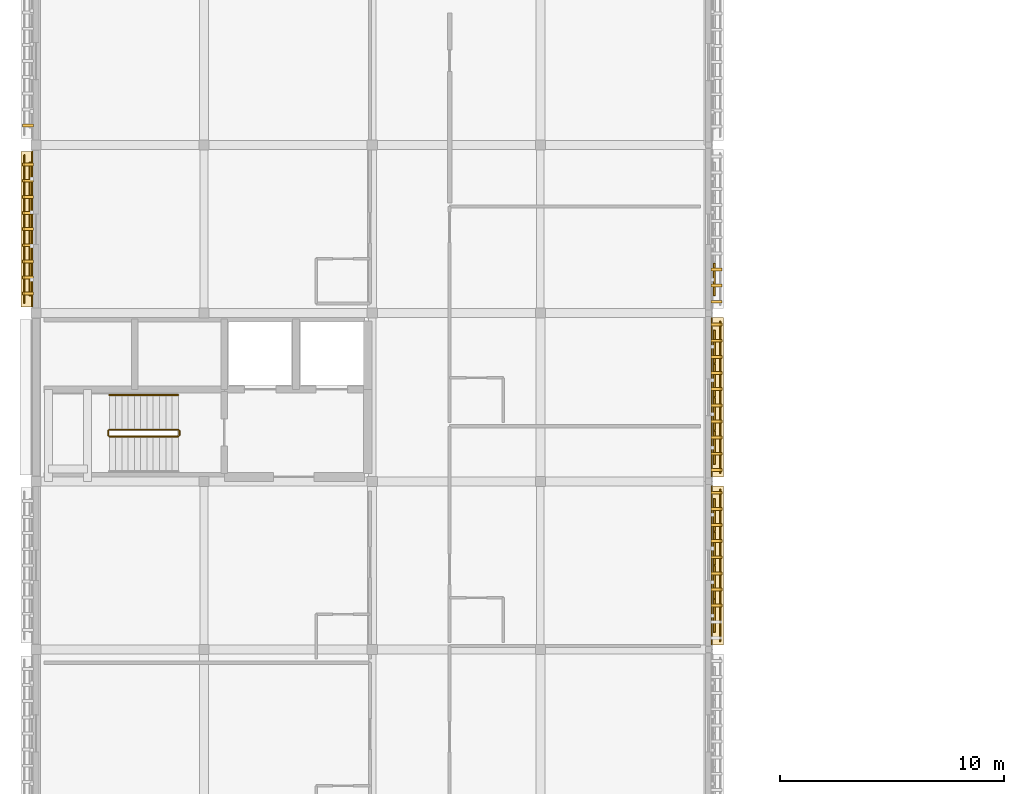
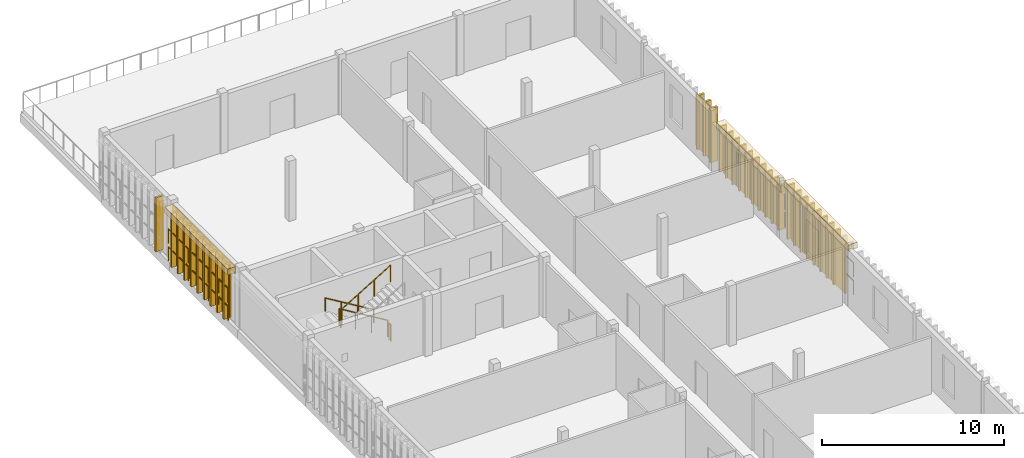
# One storey, part 12 of 13: 37 coverings, 13 shading devices, 11 railings.
"""IFC4 building model written with IfcOpenShell, lengths in metres."""

from ifc_helpers import new_model, si_unit, direction, frame, origin, origin_2d, place, context, subcontext, project, spatial, rectangle, circle, extrude, material, layer, layer_set, type_object, element, save


model = new_model("IFC4")

# Units and contexts
model_context = context("Model", 3, precision=1e-05, world=origin(), true_north=direction((0.0, 1.0)))
body_context = subcontext(model_context, "Body", "Model", "MODEL_VIEW")
ifc_project = project(units=[si_unit("LENGTHUNIT", "METRE"), si_unit("AREAUNIT", "SQUARE_METRE"), si_unit("VOLUMEUNIT", "CUBIC_METRE"), si_unit("PLANEANGLEUNIT", "RADIAN"), si_unit("MASSUNIT", "GRAM", prefix="KILO")], contexts=[model_context])

# Site, building, storey
site_placement = place(None, origin())
site = spatial("IfcSite", under=ifc_project, at=site_placement, CompositionType="ELEMENT")
building_placement = place(site_placement, origin())
building = spatial("IfcBuilding", under=site, at=building_placement, Name="Dalvernix Boulevard General Hospital", CompositionType="ELEMENT")
storey_placement = place(building_placement, frame((0.0, 0.0, 30.0)))
storey = spatial("IfcBuildingStorey", under=building, at=storey_placement, Name="L07", CompositionType="ELEMENT", Elevation=30.0)

# Coverings
ifc_material_1 = material(Name="Polychrome Catalan glazed ceramic spandrel tile panel")
ifc_layer_1 = layer(ifc_material_1, 0.044921875)
ifc_layer_set_1 = layer_set([ifc_layer_1], Name="Polychrome Catalan glazed ceramic spandrel tile panel (COV-CLD-01)")
covering_type_1 = type_object("IfcCoveringType", Name="COV-CLD-01", PredefinedType="CLADDING", material=ifc_layer_set_1)
covering_1_placement = place(storey_placement, frame((-0.159912109375, 65.25, 3.35498046875), z_axis=(0.0, 0.0, 1.0), x_axis=(0.0, 1.0, 0.0)))
element("IfcCovering", 1, at=covering_1_placement, inside=storey, type_object=covering_type_1, Name="L07 polychrome ceramic spandrel W 0-8", PredefinedType="CLADDING", context=body_context, shape_type="SweptSolid", body=[
    extrude(rectangle(XDim=6.929931640625, YDim=0.044921875, at=origin_2d()), origin(), (0.0, 0.0, 1.0), 0.449951171875),
])
for number, where, z_axis, x_axis, name in (
    (2, (30.159912109375, 50.25, 3.35498046875), (0.0, 0.0, 1.0), (0.0, -1.0, 0.0), "L07 polychrome ceramic spandrel E 4-6"),
    (3, (30.159912109375, 57.75, 2.7548828125), (0.0, 0.0, 1.0), (0.0, -1.0, 0.0), "L07 polychrome ceramic spandrel E 4-7"),
):
    element("IfcCovering", number, at=place(storey_placement, frame(where, z_axis=z_axis, x_axis=x_axis)), inside=storey, type_object=covering_type_1, Name=name, PredefinedType="CLADDING", context=body_context, shape_type="SweptSolid", body=[
        extrude(rectangle(XDim=7.10009765625, YDim=0.044921875, at=origin_2d()), origin(), (0.0, 0.0, 1.0), 0.449951171875),
    ])
ifc_material_2 = material(Name="Dressed ochre limestone classical plinth, stringcourse and corbelled cornice", Category="masonry")
ifc_layer_2 = layer(ifc_material_2, 0.449951171875)
ifc_layer_set_2 = layer_set([ifc_layer_2], Name="Dressed ochre limestone classical plinth, stringcourse and corbelled cornice (COV-CRN-01)")
covering_type_2 = type_object("IfcCoveringType", Name="COV-CRN-01", PredefinedType="CLADDING", material=ifc_layer_set_2)
covering_2_placement = place(storey_placement, frame((-0.39990234375, 65.25, 3.429931640625), z_axis=(0.0, 0.0, 1.0), x_axis=(0.0, 1.0, 0.0)))
element("IfcCovering", 4, at=covering_2_placement, inside=storey, type_object=covering_type_2, Name="L07 classical corbelled cornice frieze W 0-8", PredefinedType="CLADDING", context=body_context, shape_type="SweptSolid", body=[
    extrude(rectangle(XDim=6.929931640625, YDim=0.56005859375, at=origin_2d()), origin(), (0.0, 0.0, 1.0), 0.39990234375),
])
for number, where, z_axis, x_axis, name in (
    (5, (30.39990234375, 50.25, 3.429931640625), (0.0, 0.0, 1.0), (0.0, -1.0, 0.0), "L07 classical corbelled cornice frieze E 4-6"),
    (6, (30.39990234375, 57.75, 2.830078125), (0.0, 0.0, 1.0), (0.0, -1.0, 0.0), "L07 classical corbelled cornice frieze E 4-7"),
):
    element("IfcCovering", number, at=place(storey_placement, frame(where, z_axis=z_axis, x_axis=x_axis)), inside=storey, type_object=covering_type_2, Name=name, PredefinedType="CLADDING", context=body_context, shape_type="SweptSolid", body=[
        extrude(rectangle(XDim=7.10009765625, YDim=0.56005859375, at=origin_2d()), origin(), (0.0, 0.0, 1.0), 0.39990234375),
    ])
ifc_material_3 = material(Name="Preservative-treated West African iroko timber lattice screen", Category="wood")
ifc_layer_3 = layer(ifc_material_3, 0.1201171875)
ifc_layer_set_3 = layer_set([ifc_layer_3], Name="Preservative-treated West African iroko timber lattice screen (COV-TSCR-01)")
covering_type_3 = type_object("IfcCoveringType", Name="COV-TSCR-01", PredefinedType="CLADDING", material=ifc_layer_set_3)
for number, where, z_axis, x_axis, name in (
    (7, (-0.360107421875, 62.3701171875, 0.10009765625), (0.0, 0.0, 1.0), (0.0, 1.0, 0.0), "L07 upper-ward timber screen blade W 0-8-1"),
    (8, (-0.360107421875, 63.090087890625, 0.10009765625), (0.0, 0.0, 1.0), (0.0, 1.0, 0.0), "L07 upper-ward timber screen blade W 0-8-2"),
    (9, (-0.360107421875, 63.81005859375, 0.10009765625), (0.0, 0.0, 1.0), (0.0, 1.0, 0.0), "L07 upper-ward timber screen blade W 0-8-3"),
    (10, (-0.360107421875, 64.530029296875, 0.10009765625), (0.0, 0.0, 1.0), (0.0, 1.0, 0.0), "L07 upper-ward timber screen blade W 0-8-4"),
    (11, (-0.360107421875, 65.25, 0.10009765625), (0.0, 0.0, 1.0), (0.0, 1.0, 0.0), "L07 upper-ward timber screen blade W 0-8-5"),
    (12, (-0.360107421875, 65.969970703125, 0.10009765625), (0.0, 0.0, 1.0), (0.0, 1.0, 0.0), "L07 upper-ward timber screen blade W 0-8-6"),
    (13, (-0.360107421875, 66.68994140625, 0.10009765625), (0.0, 0.0, 1.0), (0.0, 1.0, 0.0), "L07 upper-ward timber screen blade W 0-8-7"),
    (14, (-0.360107421875, 67.409912109375, 0.10009765625), (0.0, 0.0, 1.0), (0.0, 1.0, 0.0), "L07 upper-ward timber screen blade W 0-8-8"),
    (15, (-0.360107421875, 68.1298828125, 0.10009765625), (0.0, 0.0, 1.0), (0.0, 1.0, 0.0), "L07 upper-ward timber screen blade W 0-8-9"),
    (16, (-0.360107421875, 69.8701171875, 0.10009765625), (0.0, 0.0, 1.0), (0.0, 1.0, 0.0), "L07 upper-ward timber screen blade W 0-9-1"),
    (17, (30.360107421875, 53.489990234375, 0.10009765625), (0.0, 0.0, 1.0), (0.0, -1.0, 0.0), "L07 upper-ward timber screen blade E 4-6-1"),
    (18, (30.360107421875, 52.77001953125, 0.10009765625), (0.0, 0.0, 1.0), (0.0, -1.0, 0.0), "L07 upper-ward timber screen blade E 4-6-2"),
    (19, (30.360107421875, 52.050048828125, 0.10009765625), (0.0, 0.0, 1.0), (0.0, -1.0, 0.0), "L07 upper-ward timber screen blade E 4-6-3"),
    (20, (30.360107421875, 51.330078125, 0.10009765625), (0.0, 0.0, 1.0), (0.0, -1.0, 0.0), "L07 upper-ward timber screen blade E 4-6-4"),
    (21, (30.360107421875, 50.610107421875, 0.10009765625), (0.0, 0.0, 1.0), (0.0, -1.0, 0.0), "L07 upper-ward timber screen blade E 4-6-5"),
    (22, (30.360107421875, 49.889892578125, 0.10009765625), (0.0, 0.0, 1.0), (0.0, -1.0, 0.0), "L07 upper-ward timber screen blade E 4-6-6"),
    (23, (30.360107421875, 49.169921875, 0.10009765625), (0.0, 0.0, 1.0), (0.0, -1.0, 0.0), "L07 upper-ward timber screen blade E 4-6-7"),
    (24, (30.360107421875, 48.449951171875, 0.10009765625), (0.0, 0.0, 1.0), (0.0, -1.0, 0.0), "L07 upper-ward timber screen blade E 4-6-8"),
):
    element("IfcCovering", number, at=place(storey_placement, frame(where, z_axis=z_axis, x_axis=x_axis)), inside=storey, type_object=covering_type_3, Name=name, PredefinedType="CLADDING", context=body_context, shape_type="SweptSolid", body=[
        extrude(rectangle(XDim=0.1298828125, YDim=0.47998046875, at=origin_2d()), origin(), (0.0, 0.0, 1.0), 3.6298828125),
    ])
for number, where, z_axis, x_axis, name in (
    (25, (30.360107421875, 60.989990234375, 0.10009765625), (0.0, 0.0, 1.0), (0.0, -1.0, 0.0), "L07 upper-ward timber screen blade E 4-7-1"),
    (26, (30.360107421875, 60.27001953125, 0.10009765625), (0.0, 0.0, 1.0), (0.0, -1.0, 0.0), "L07 upper-ward timber screen blade E 4-7-2"),
    (27, (30.360107421875, 59.550048828125, 0.10009765625), (0.0, 0.0, 1.0), (0.0, -1.0, 0.0), "L07 upper-ward timber screen blade E 4-7-3"),
    (28, (30.360107421875, 58.830078125, 0.10009765625), (0.0, 0.0, 1.0), (0.0, -1.0, 0.0), "L07 upper-ward timber screen blade E 4-7-4"),
    (29, (30.360107421875, 58.110107421875, 0.10009765625), (0.0, 0.0, 1.0), (0.0, -1.0, 0.0), "L07 upper-ward timber screen blade E 4-7-5"),
    (30, (30.360107421875, 57.389892578125, 0.10009765625), (0.0, 0.0, 1.0), (0.0, -1.0, 0.0), "L07 upper-ward timber screen blade E 4-7-6"),
    (31, (30.360107421875, 56.669921875, 0.10009765625), (0.0, 0.0, 1.0), (0.0, -1.0, 0.0), "L07 upper-ward timber screen blade E 4-7-7"),
    (32, (30.360107421875, 55.949951171875, 0.10009765625), (0.0, 0.0, 1.0), (0.0, -1.0, 0.0), "L07 upper-ward timber screen blade E 4-7-8"),
    (33, (30.360107421875, 55.22998046875, 0.10009765625), (0.0, 0.0, 1.0), (0.0, -1.0, 0.0), "L07 upper-ward timber screen blade E 4-7-9"),
    (34, (30.360107421875, 54.510009765625, 0.10009765625), (0.0, 0.0, 1.0), (0.0, -1.0, 0.0), "L07 upper-ward timber screen blade E 4-7-10"),
):
    element("IfcCovering", number, at=place(storey_placement, frame(where, z_axis=z_axis, x_axis=x_axis)), inside=storey, type_object=covering_type_3, Name=name, PredefinedType="CLADDING", context=body_context, shape_type="SweptSolid", body=[
        extrude(rectangle(XDim=0.1298828125, YDim=0.47998046875, at=origin_2d()), origin(), (0.0, 0.0, 1.0), 3.030029296875),
    ])
for number, where, z_axis, x_axis, name in (
    (35, (30.360107421875, 63.449951171875, 0.10009765625), (0.0, 0.0, 1.0), (0.0, -1.0, 0.0), "L07 upper-ward timber screen blade E 4-8-8"),
    (36, (30.360107421875, 62.72998046875, 0.10009765625), (0.0, 0.0, 1.0), (0.0, -1.0, 0.0), "L07 upper-ward timber screen blade E 4-8-9"),
    (37, (30.360107421875, 62.010009765625, 0.10009765625), (0.0, 0.0, 1.0), (0.0, -1.0, 0.0), "L07 upper-ward timber screen blade E 4-8-10"),
):
    element("IfcCovering", number, at=place(storey_placement, frame(where, z_axis=z_axis, x_axis=x_axis)), inside=storey, type_object=covering_type_3, Name=name, PredefinedType="CLADDING", context=body_context, shape_type="SweptSolid", body=[
        extrude(rectangle(XDim=0.1298828125, YDim=0.47998046875, at=origin_2d()), origin(), (0.0, 0.0, 1.0), 3.6298828125),
    ])

# Railings
ifc_material_4 = material(Name="Brushed stainless steel balustrade", Category="steel")
railing_type_1 = type_object("IfcRailingType", Name="RL-GR-INT1", PredefinedType="BALUSTRADE", material=ifc_material_4)
railing_1_placement = place(storey_placement, frame((6.35009765625, 56.300048828125, 0.168701171875)))
element("IfcRailing", 38, at=railing_1_placement, inside=storey, type_object=railing_type_1, Name="L07 ST-02 stair guard 1", PredefinedType="BALUSTRADE", context=body_context, shape_type="SweptSolid", body=[
    extrude(circle(Radius=0.02392578125, at=origin_2d()), frame((0.0, 0.0, 1.09619140625), z_axis=(-0.856490936558, 0.0, 0.516162063304), x_axis=(0.0, -1.0, 0.0)), (0.0, 0.0, 1.0), 3.59619140625),
    extrude(circle(Radius=0.02099609375, at=origin_2d()), origin(), (0.0, 0.0, 1.0), 1.072021484375),
    extrude(circle(Radius=0.02099609375, at=origin_2d()), frame((-1.026611328125, 0.0, 0.61865234375)), (0.0, 0.0, 1.0), 1.072021484375),
    extrude(circle(Radius=0.02099609375, at=origin_2d()), frame((-2.053466796875, 0.0, 1.237548828125)), (0.0, 0.0, 1.0), 1.072021484375),
    extrude(circle(Radius=0.02099609375, at=origin_2d()), frame((-3.080078125, 0.0, 1.856201171875)), (0.0, 0.0, 1.0), 1.072021484375),
])
railing_2_placement = place(storey_placement, frame((3.219970703125, 56.25, 2.02490234375)))
element("IfcRailing", 39, at=railing_2_placement, inside=storey, type_object=railing_type_1, Name="L07 ST-02 stair guard 2", PredefinedType="BALUSTRADE", context=body_context, shape_type="SweptSolid", body=[
    extrude(circle(Radius=0.02392578125, at=origin_2d()), frame((0.0, 0.0, 1.09619140625), z_axis=(0.0, -1.0, 0.0), x_axis=(1.0, 0.0, 0.0)), (0.0, 0.0, 1.0), 0.199951171875),
    extrude(circle(Radius=0.02099609375, at=origin_2d()), origin(), (0.0, 0.0, 1.0), 1.072021484375),
    extrude(circle(Radius=0.02099609375, at=origin_2d()), frame((0.0, -0.199951171875, 0.0)), (0.0, 0.0, 1.0), 1.072021484375),
])
railing_3_placement = place(storey_placement, frame((3.27001953125, 56.0, 2.19384765625)))
element("IfcRailing", 40, at=railing_3_placement, inside=storey, type_object=railing_type_1, Name="L07 ST-02 stair guard 3", PredefinedType="BALUSTRADE", context=body_context, shape_type="SweptSolid", body=[
    extrude(circle(Radius=0.02392578125, at=origin_2d()), frame((0.0, 0.0, 1.09619140625), z_axis=(0.856490936558, 0.0, 0.516162063304), x_axis=(0.0, 1.0, 0.0)), (0.0, 0.0, 1.0), 3.59619140625),
    extrude(circle(Radius=0.02099609375, at=origin_2d()), origin(), (0.0, 0.0, 1.0), 1.072021484375),
    extrude(circle(Radius=0.02099609375, at=origin_2d()), frame((1.026611328125, 0.0, 0.61865234375)), (0.0, 0.0, 1.0), 1.072021484375),
    extrude(circle(Radius=0.02099609375, at=origin_2d()), frame((2.053466796875, 0.0, 1.237548828125)), (0.0, 0.0, 1.0), 1.072021484375),
    extrude(circle(Radius=0.02099609375, at=origin_2d()), frame((3.080078125, 0.0, 1.856201171875)), (0.0, 0.0, 1.0), 1.072021484375),
])
railing_4_placement = place(storey_placement, frame((6.39990234375, 56.25, 0.0)))
element("IfcRailing", 41, at=railing_4_placement, inside=storey, type_object=railing_type_1, Name="L07 ST-02 stair guard 4", PredefinedType="BALUSTRADE", context=body_context, shape_type="SweptSolid", body=[
    extrude(circle(Radius=0.02392578125, at=origin_2d()), frame((0.0, 0.0, 1.09619140625), z_axis=(0.0, -1.0, 0.0), x_axis=(1.0, 0.0, 0.0)), (0.0, 0.0, 1.0), 0.199951171875),
    extrude(circle(Radius=0.02099609375, at=origin_2d()), origin(), (0.0, 0.0, 1.0), 1.072021484375),
    extrude(circle(Radius=0.02099609375, at=origin_2d()), frame((0.0, -0.199951171875, 0.0)), (0.0, 0.0, 1.0), 1.072021484375),
])
ifc_material_5 = material(Name="Brushed stainless steel wall handrail", Category="steel")
railing_type_2 = type_object("IfcRailingType", Name="RL-HR-INT1", PredefinedType="HANDRAIL", material=ifc_material_5)
railing_5_placement = place(storey_placement, frame((6.35009765625, 57.85009765625, 0.168701171875)))
element("IfcRailing", 42, at=railing_5_placement, inside=storey, type_object=railing_type_2, Name="L07 ST-02 stair handrail 1", PredefinedType="HANDRAIL", context=body_context, shape_type="SweptSolid", body=[
    extrude(circle(Radius=0.02392578125, at=origin_2d()), frame((0.0, 0.0, 0.8759765625), z_axis=(-0.856490936558, 0.0, 0.516162063304), x_axis=(0.0, -1.0, 0.0)), (0.0, 0.0, 1.0), 3.59619140625),
    extrude(circle(Radius=0.02099609375, at=origin_2d()), origin(), (0.0, 0.0, 1.0), 0.851806640625),
    extrude(circle(Radius=0.02099609375, at=origin_2d()), frame((-1.026611328125, 0.0, 0.61865234375)), (0.0, 0.0, 1.0), 0.851806640625),
    extrude(circle(Radius=0.02099609375, at=origin_2d()), frame((-2.053466796875, 0.0, 1.237548828125)), (0.0, 0.0, 1.0), 0.851806640625),
    extrude(circle(Radius=0.02099609375, at=origin_2d()), frame((-3.080078125, 0.0, 1.856201171875)), (0.0, 0.0, 1.0), 0.851806640625),
])
ifc_material_6 = material(Name="Preservative-treated iroko timber horizontal screen louver rail", Category="wood")
railing_type_3 = type_object("IfcRailingType", Name="RL-TSCR-01", PredefinedType="BALUSTRADE", material=ifc_material_6)
for number, where, name in (
    (43, (-0.52001953125, 61.955078125, 0.25), "L07 upper-ward horizontal timber screen louver W 0-8-1"),
    (44, (-0.52001953125, 61.955078125, 1.449951171875), "L07 upper-ward horizontal timber screen louver W 0-8-2"),
):
    element("IfcRailing", number, at=place(storey_placement, frame(where)), inside=storey, type_object=railing_type_3, Name=name, PredefinedType="BALUSTRADE", context=body_context, shape_type="SweptSolid", body=[
        extrude(circle(Radius=0.02392578125, at=origin_2d()), frame((0.0, 0.0, 0.92578125), z_axis=(0.0, 1.0, 0.0), x_axis=(-1.0, 0.0, 0.0)), (0.0, 0.0, 1.0), 6.58984375),
        extrude(circle(Radius=0.02099609375, at=origin_2d()), origin(), (0.0, 0.0, 1.0), 0.90185546875),
        extrude(circle(Radius=0.02099609375, at=origin_2d()), frame((0.0, 1.098388671875, 0.0)), (0.0, 0.0, 1.0), 0.90185546875),
        extrude(circle(Radius=0.02099609375, at=origin_2d()), frame((0.0, 2.196533203125, 0.0)), (0.0, 0.0, 1.0), 0.90185546875),
        extrude(circle(Radius=0.02099609375, at=origin_2d()), frame((0.0, 3.294921875, 0.0)), (0.0, 0.0, 1.0), 0.90185546875),
        extrude(circle(Radius=0.02099609375, at=origin_2d()), frame((0.0, 4.393310546875, 0.0)), (0.0, 0.0, 1.0), 0.90185546875),
        extrude(circle(Radius=0.02099609375, at=origin_2d()), frame((0.0, 5.491455078125, 0.0)), (0.0, 0.0, 1.0), 0.90185546875),
        extrude(circle(Radius=0.02099609375, at=origin_2d()), frame((0.0, 6.58984375, 0.0)), (0.0, 0.0, 1.0), 0.90185546875),
    ])
for number, where, name in (
    (45, (30.52001953125, 53.6298828125, 0.25), "L07 upper-ward horizontal timber screen louver E 4-6-1"),
    (46, (30.52001953125, 53.6298828125, 1.449951171875), "L07 upper-ward horizontal timber screen louver E 4-6-2"),
    (47, (30.52001953125, 61.1298828125, 0.25), "L07 upper-ward horizontal timber screen louver E 4-7-1"),
    (48, (30.52001953125, 61.1298828125, 1.449951171875), "L07 upper-ward horizontal timber screen louver E 4-7-2"),
):
    element("IfcRailing", number, at=place(storey_placement, frame(where)), inside=storey, type_object=railing_type_3, Name=name, PredefinedType="BALUSTRADE", context=body_context, shape_type="SweptSolid", body=[
        extrude(circle(Radius=0.02392578125, at=origin_2d()), frame((0.0, 0.0, 0.92578125), z_axis=(0.0, -1.0, 0.0), x_axis=(1.0, 0.0, 0.0)), (0.0, 0.0, 1.0), 6.759765625),
        extrude(circle(Radius=0.02099609375, at=origin_2d()), origin(), (0.0, 0.0, 1.0), 0.90185546875),
        extrude(circle(Radius=0.02099609375, at=origin_2d()), frame((0.0, -1.126708984375, 0.0)), (0.0, 0.0, 1.0), 0.90185546875),
        extrude(circle(Radius=0.02099609375, at=origin_2d()), frame((0.0, -2.253173828125, 0.0)), (0.0, 0.0, 1.0), 0.90185546875),
        extrude(circle(Radius=0.02099609375, at=origin_2d()), frame((0.0, -3.3798828125, 0.0)), (0.0, 0.0, 1.0), 0.90185546875),
        extrude(circle(Radius=0.02099609375, at=origin_2d()), frame((0.0, -4.506591796875, 0.0)), (0.0, 0.0, 1.0), 0.90185546875),
        extrude(circle(Radius=0.02099609375, at=origin_2d()), frame((0.0, -5.633056640625, 0.0)), (0.0, 0.0, 1.0), 0.90185546875),
        extrude(circle(Radius=0.02099609375, at=origin_2d()), frame((0.0, -6.759765625, 0.0)), (0.0, 0.0, 1.0), 0.90185546875),
    ])

# Shading devices
ifc_material_7 = material(Name="Perforated iroko timber and glazed ceramic screen (30 percent open)", Category="wood")
shading_device_type = type_object("IfcShadingDeviceType", Name="SHD-SCR-01", PredefinedType="USERDEFINED", material=ifc_material_7)
for number, where, z_axis, x_axis, name in (
    (49, (-0.260009765625, 63.0, 0.14990234375), (0.0, 0.0, 1.0), (0.0, 1.0, 0.0), "L07 perforated timber screen 1"),
    (50, (-0.260009765625, 64.5, 0.14990234375), (0.0, 0.0, 1.0), (0.0, 1.0, 0.0), "L07 perforated timber screen 2"),
    (51, (-0.260009765625, 66.0, 0.14990234375), (0.0, 0.0, 1.0), (0.0, 1.0, 0.0), "L07 perforated timber screen 3"),
    (52, (-0.260009765625, 67.5, 0.14990234375), (0.0, 0.0, 1.0), (0.0, 1.0, 0.0), "L07 perforated timber screen 4"),
    (53, (30.260009765625, 52.5, 0.14990234375), (0.0, 0.0, 1.0), (0.0, -1.0, 0.0), "L07 perforated timber screen 1"),
    (54, (30.260009765625, 51.0, 0.14990234375), (0.0, 0.0, 1.0), (0.0, -1.0, 0.0), "L07 perforated timber screen 2"),
    (55, (30.260009765625, 49.5, 0.14990234375), (0.0, 0.0, 1.0), (0.0, -1.0, 0.0), "L07 perforated timber screen 3"),
    (56, (30.260009765625, 48.0, 0.14990234375), (0.0, 0.0, 1.0), (0.0, -1.0, 0.0), "L07 perforated timber screen 4"),
):
    element("IfcShadingDevice", number, at=place(storey_placement, frame(where, z_axis=z_axis, x_axis=x_axis)), inside=storey, type_object=shading_device_type, Name=name, ObjectType="SCREEN", PredefinedType="USERDEFINED", context=body_context, shape_type="SweptSolid", body=[
        extrude(rectangle(XDim=1.4599609375, YDim=0.080078125, at=origin_2d()), origin(), (0.0, 0.0, 1.0), 3.530029296875),
    ])
for number, where, z_axis, x_axis, name in (
    (57, (30.260009765625, 60.0, 0.14990234375), (0.0, 0.0, 1.0), (0.0, -1.0, 0.0), "L07 perforated timber screen 1"),
    (58, (30.260009765625, 58.5, 0.14990234375), (0.0, 0.0, 1.0), (0.0, -1.0, 0.0), "L07 perforated timber screen 2"),
    (59, (30.260009765625, 57.0, 0.14990234375), (0.0, 0.0, 1.0), (0.0, -1.0, 0.0), "L07 perforated timber screen 3"),
    (60, (30.260009765625, 55.5, 0.14990234375), (0.0, 0.0, 1.0), (0.0, -1.0, 0.0), "L07 perforated timber screen 4"),
):
    element("IfcShadingDevice", number, at=place(storey_placement, frame(where, z_axis=z_axis, x_axis=x_axis)), inside=storey, type_object=shading_device_type, Name=name, ObjectType="SCREEN", PredefinedType="USERDEFINED", context=body_context, shape_type="SweptSolid", body=[
        extrude(rectangle(XDim=1.4599609375, YDim=0.080078125, at=origin_2d()), origin(), (0.0, 0.0, 1.0), 2.929931640625),
    ])
shading_device_placement = place(storey_placement, frame((30.260009765625, 63.0, 0.14990234375), z_axis=(0.0, 0.0, 1.0), x_axis=(0.0, -1.0, 0.0)))
element("IfcShadingDevice", 61, at=shading_device_placement, inside=storey, type_object=shading_device_type, Name="L07 perforated timber screen 4", ObjectType="SCREEN", PredefinedType="USERDEFINED", context=body_context, shape_type="SweptSolid", body=[
    extrude(rectangle(XDim=1.4599609375, YDim=0.080078125, at=origin_2d()), origin(), (0.0, 0.0, 1.0), 3.530029296875),
])

save(model, "model.ifc")
